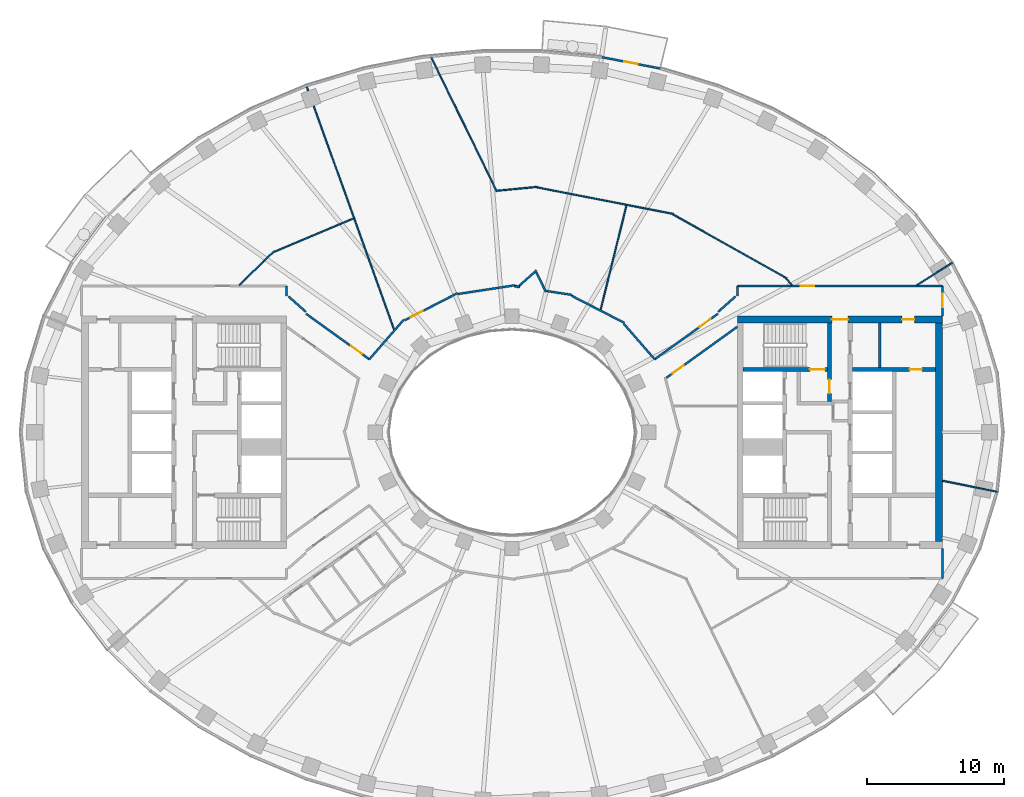
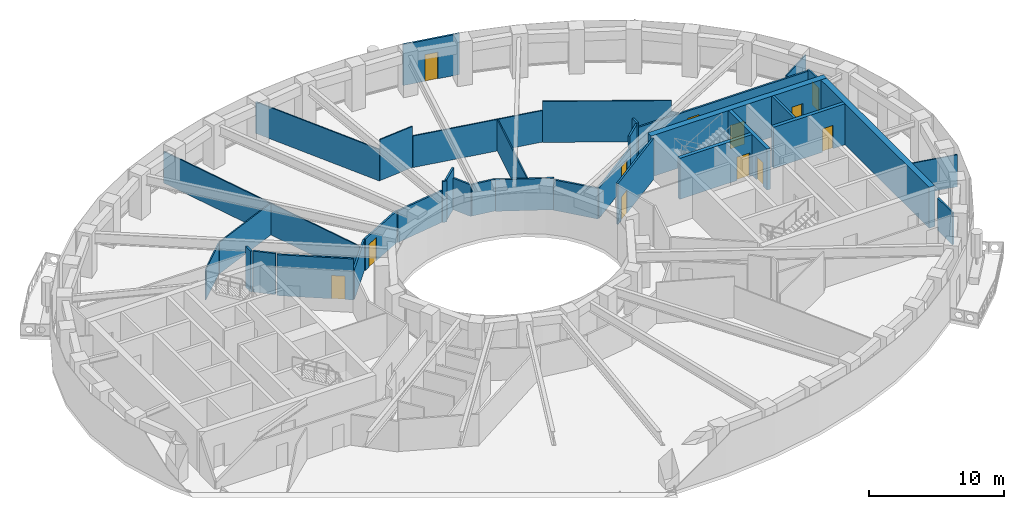
# One storey, part 6 of 16: 37 walls, 12 doors, 12 openings.
"""IFC4 building model written with IfcOpenShell, lengths in metres."""

from ifc_helpers import new_model, si_unit, direction, frame, frame_2d, origin, place, context, subcontext, project, spatial, rectangle, extrude, material, layer, layer_set, type_object, element, fill, save


model = new_model("IFC4")

# Units and contexts
model_context = context("Model", 3, precision=1e-05, world=origin(), true_north=direction((0.0, 1.0)))
body_context = subcontext(model_context, "Body", "Model", "MODEL_VIEW")
ifc_project = project(units=[si_unit("LENGTHUNIT", "METRE"), si_unit("AREAUNIT", "SQUARE_METRE"), si_unit("VOLUMEUNIT", "CUBIC_METRE"), si_unit("PLANEANGLEUNIT", "RADIAN"), si_unit("MASSUNIT", "GRAM", prefix="KILO")], contexts=[model_context])

# Site, building, storey
site_placement = place(None, origin())
site = spatial("IfcSite", under=ifc_project, at=site_placement, CompositionType="ELEMENT")
building_placement = place(site_placement, origin())
building = spatial("IfcBuilding", under=site, at=building_placement, Name="Noorbagh Ring Tower", CompositionType="ELEMENT")
storey_placement = place(building_placement, frame((0.0, 0.0, 178.0)))
storey = spatial("IfcBuildingStorey", under=building, at=storey_placement, Name="L41", CompositionType="ELEMENT", Elevation=178.0)

# Wall
ifc_material_1 = material(Name="Gypsum board on steel studs", Category="steel")
ifc_layer_1 = layer(ifc_material_1, 0.199951171875)
ifc_layer_set_1 = layer_set([ifc_layer_1], Name="Gypsum board on steel studs")
wall_type_1 = type_object("IfcWallType", Name="CORE-PARTITION-200", PredefinedType="PARTITIONING", material=ifc_layer_set_1)
wall_1_placement = place(storey_placement, frame((26.89990234375, 4.75, 0.0), z_axis=(0.0, 0.0, 1.0), x_axis=(0.0, 1.0, 0.0)))
element("IfcWall", 1, at=wall_1_placement, inside=storey, type_object=wall_type_1, Name="Core partition E", PredefinedType="PARTITIONING", context=body_context, shape_type="SweptSolid", body=[
    extrude(rectangle(XDim=3.25, YDim=0.199951171875, at=frame_2d((1.625, 0.0))), origin(), (0.0, 0.0, 1.0), 3.699951171875),
])

# Wall, opening, door
ifc_material_2 = material(Name="Concrete C60/75", Category="concrete")
ifc_layer_2 = layer(ifc_material_2, 0.300048828125)
ifc_layer_set_2 = layer_set([ifc_layer_2], Name="Concrete C60/75")
wall_type_2 = type_object("IfcWallType", Name="CORE-WALL-300-C60-75-EI240", PredefinedType="SHEAR", material=ifc_layer_set_2)
wall_2_placement = place(storey_placement, frame((24.89990234375, 4.60009765625, 0.0), z_axis=(0.0, 0.0, 1.0), x_axis=(1.0, 0.0, 0.0)))
wall_2 = element("IfcWall", 2, at=wall_2_placement, inside=storey, type_object=wall_type_2, Name="Core wall E", PredefinedType="SHEAR", context=body_context, shape_type="SweptSolid", body=[
    extrude(rectangle(XDim=6.10009765625, YDim=0.300048828125, at=frame_2d((3.050048828125, 0.0))), origin(), (0.0, 0.0, 1.0), 3.699951171875),
])
opening_1_placement = place(wall_2_placement, frame((4.199951171875, 0.0, 0.0)))
opening_1 = element("IfcOpeningElement", 3, at=opening_1_placement, cuts=wall_2, Name="Opening L41-CE18", PredefinedType="OPENING", context=body_context, shape_type="SweptSolid", body=[
    extrude(rectangle(XDim=0.89990234375, YDim=2.10009765625, at=frame_2d((0.449951171875, 1.050048828125))), frame((0.0, 0.16015625, 0.0), z_axis=(0.0, -1.0, 0.0), x_axis=(1.0, 0.0, 0.0)), (0.0, 0.0, 1.0), 0.320068359375),
])
ifc_material_3 = material(Name="Steel door leaf", Category="steel")
door_type_1 = type_object("IfcDoorType", Name="CORE-DOOR-DROOM", OperationType="SINGLE_SWING_LEFT", PredefinedType="DOOR", material=ifc_material_3)
door_1_placement = place(opening_1_placement, origin())
door_1 = element("IfcDoor", 4, at=door_1_placement, inside=storey, type_object=door_type_1, Name="Core room door L41-CE18", OperationType="SINGLE_SWING_RIGHT", OverallHeight=2.10009765625, OverallWidth=0.89990234375, PredefinedType="DOOR", context=body_context, shape_type="SweptSolid", body=[
    extrude(rectangle(XDim=0.89990234375, YDim=2.10009765625, at=frame_2d((0.449951171875, 1.050048828125))), frame((0.0, 0.02490234375, 0.0), z_axis=(0.0, -1.0, 0.0), x_axis=(1.0, 0.0, 0.0)), (0.0, 0.0, 1.0), 0.050048828125),
])
fill(opening_1, door_1)

wall_3_placement = place(storey_placement, frame((23.22998046875, 2.25, 0.0), z_axis=(0.0, 0.0, 1.0), x_axis=(0.0, 1.0, 0.0)))
wall_3 = element("IfcWall", 5, at=wall_3_placement, inside=storey, type_object=wall_type_2, Name="Core wall E", PredefinedType="SHEAR", context=body_context, shape_type="SweptSolid", body=[
    extrude(rectangle(XDim=5.75, YDim=0.300048828125, at=frame_2d((2.875, 0.0))), origin(), (0.0, 0.0, 1.0), 3.699951171875),
])
opening_2_placement = place(wall_3_placement, frame((0.60009765625, 0.0, 0.0)))
opening_2 = element("IfcOpeningElement", 6, at=opening_2_placement, cuts=wall_3, Name="Opening L41-CE10", PredefinedType="OPENING", context=body_context, shape_type="SweptSolid", body=[
    extrude(rectangle(XDim=1.0, YDim=2.10009765625, at=frame_2d((0.5, 1.050048828125))), frame((0.0, 0.16015625, 0.0), z_axis=(0.0, -1.0, 0.0), x_axis=(1.0, 0.0, 0.0)), (0.0, 0.0, 1.0), 0.320068359375),
])
ifc_material_4 = material(Name="Steel door leaf", Category="steel")
door_type_2 = type_object("IfcDoorType", Name="CORE-DOOR-DVEST", OperationType="SINGLE_SWING_LEFT", PredefinedType="DOOR", material=ifc_material_4)
door_2_placement = place(opening_2_placement, origin())
door_2 = element("IfcDoor", 7, at=door_2_placement, inside=storey, type_object=door_type_2, Name="Stair vestibule door L41-CE10", OperationType="SINGLE_SWING_RIGHT", OverallHeight=2.10009765625, OverallWidth=1.0, PredefinedType="DOOR", context=body_context, shape_type="SweptSolid", body=[
    extrude(rectangle(XDim=1.0, YDim=2.10009765625, at=frame_2d((0.5, 1.050048828125))), frame((0.0, 0.02490234375, 0.0), z_axis=(0.0, -1.0, 0.0), x_axis=(1.0, 0.0, 0.0)), (0.0, 0.0, 1.0), 0.050048828125),
])
fill(opening_2, door_2)

wall_4_placement = place(storey_placement, frame((16.89990234375, 4.60009765625, 0.0), z_axis=(0.0, 0.0, 1.0), x_axis=(1.0, 0.0, 0.0)))
wall_4 = element("IfcWall", 8, at=wall_4_placement, inside=storey, type_object=wall_type_2, Name="Core wall E", PredefinedType="SHEAR", context=body_context, shape_type="SweptSolid", body=[
    extrude(rectangle(XDim=6.18017578125, YDim=0.300048828125, at=frame_2d((3.090087890625, 0.0))), origin(), (0.0, 0.0, 1.0), 3.699951171875),
])
opening_3_placement = place(wall_4_placement, frame((4.89990234375, 0.0, 0.0)))
opening_3 = element("IfcOpeningElement", 9, at=opening_3_placement, cuts=wall_4, Name="Opening L41-CE07", PredefinedType="OPENING", context=body_context, shape_type="SweptSolid", body=[
    extrude(rectangle(XDim=1.10009765625, YDim=2.10009765625, at=frame_2d((0.550048828125, 1.050048828125))), frame((0.0, 0.16015625, 0.0), z_axis=(0.0, -1.0, 0.0), x_axis=(1.0, 0.0, 0.0)), (0.0, 0.0, 1.0), 0.320068359375),
])
ifc_material_5 = material(Name="Steel door leaf", Category="steel")
door_type_3 = type_object("IfcDoorType", Name="CORE-DOOR-DSTAIR", OperationType="SINGLE_SWING_LEFT", PredefinedType="DOOR", material=ifc_material_5)
door_3_placement = place(opening_3_placement, origin())
door_3 = element("IfcDoor", 10, at=door_3_placement, inside=storey, type_object=door_type_3, Name="Stair door ST3 L41-CE07", OperationType="SINGLE_SWING_LEFT", OverallHeight=2.10009765625, OverallWidth=1.10009765625, PredefinedType="DOOR", context=body_context, shape_type="SweptSolid", body=[
    extrude(rectangle(XDim=1.10009765625, YDim=2.10009765625, at=frame_2d((0.550048828125, 1.050048828125))), frame((0.0, 0.02490234375, 0.0), z_axis=(0.0, -1.0, 0.0), x_axis=(1.0, 0.0, 0.0)), (0.0, 0.0, 1.0), 0.050048828125),
])
fill(opening_3, door_3)

# Wall, openings, doors
ifc_material_6 = material(Name="Concrete C60/75", Category="concrete")
ifc_layer_3 = layer(ifc_material_6, 0.5)
ifc_layer_set_3 = layer_set([ifc_layer_3], Name="Concrete C60/75")
wall_type_3 = type_object("IfcWallType", Name="CORE-WALL-500-C60-75-EI240", PredefinedType="SHEAR", material=ifc_layer_set_3)
wall_5_placement = place(storey_placement, frame((16.5, 8.25, 0.0), z_axis=(0.0, 0.0, 1.0), x_axis=(1.0, 0.0, 0.0)))
wall_5 = element("IfcWall", 11, at=wall_5_placement, inside=storey, type_object=wall_type_3, Name="Core wall E", PredefinedType="SHEAR", context=body_context, shape_type="SweptSolid", body=[
    extrude(rectangle(XDim=15.0, YDim=0.5, at=frame_2d((7.5, 0.0))), origin(), (0.0, 0.0, 1.0), 3.699951171875),
])
opening_4_placement = place(wall_5_placement, frame((6.89990234375, 0.0, 0.0)))
opening_4 = element("IfcOpeningElement", 12, at=opening_4_placement, cuts=wall_5, Name="Opening L41-CE11", PredefinedType="OPENING", context=body_context, shape_type="SweptSolid", body=[
    extrude(rectangle(XDim=1.199951171875, YDim=2.10009765625, at=frame_2d((0.60009765625, 1.050048828125))), frame((0.0, 0.260009765625, 0.0), z_axis=(0.0, -1.0, 0.0), x_axis=(1.0, 0.0, 0.0)), (0.0, 0.0, 1.0), 0.52001953125),
])
opening_5_placement = place(wall_5_placement, frame((12.050048828125, 0.0, 0.0)))
opening_5 = element("IfcOpeningElement", 13, at=opening_5_placement, cuts=wall_5, Name="Opening L41-CE14", PredefinedType="OPENING", context=body_context, shape_type="SweptSolid", body=[
    extrude(rectangle(XDim=0.89990234375, YDim=2.10009765625, at=frame_2d((0.449951171875, 1.050048828125))), frame((0.0, 0.260009765625, 0.0), z_axis=(0.0, -1.0, 0.0), x_axis=(1.0, 0.0, 0.0)), (0.0, 0.0, 1.0), 0.52001953125),
])
door_4_placement = place(opening_5_placement, origin())
door_4 = element("IfcDoor", 14, at=door_4_placement, inside=storey, type_object=door_type_1, Name="Core room door L41-CE14", OperationType="SINGLE_SWING_LEFT", OverallHeight=2.10009765625, OverallWidth=0.89990234375, PredefinedType="DOOR", context=body_context, shape_type="SweptSolid", body=[
    extrude(rectangle(XDim=0.89990234375, YDim=2.10009765625, at=frame_2d((0.449951171875, 1.050048828125))), frame((0.0, 0.02490234375, 0.0), z_axis=(0.0, -1.0, 0.0), x_axis=(1.0, 0.0, 0.0)), (0.0, 0.0, 1.0), 0.050048828125),
])
fill(opening_5, door_4)
ifc_material_7 = material(Name="Steel door leaf", Category="steel")
door_type_4 = type_object("IfcDoorType", Name="CORE-DOOR-PORT", OperationType="DOUBLE_DOOR_DOUBLE_SWING", PredefinedType="DOOR", material=ifc_material_7)
door_5_placement = place(opening_4_placement, origin())
door_5 = element("IfcDoor", 15, at=door_5_placement, inside=storey, type_object=door_type_4, Name="Core entrance door L41-CE11", OperationType="DOUBLE_DOOR_DOUBLE_SWING", OverallHeight=2.10009765625, OverallWidth=1.199951171875, PredefinedType="DOOR", context=body_context, shape_type="SweptSolid", body=[
    extrude(rectangle(XDim=1.199951171875, YDim=2.10009765625, at=frame_2d((0.60009765625, 1.050048828125))), frame((0.0, 0.02490234375, 0.0), z_axis=(0.0, -1.0, 0.0), x_axis=(1.0, 0.0, 0.0)), (0.0, 0.0, 1.0), 0.050048828125),
])
fill(opening_4, door_5)

# Walls
wall_6_placement = place(storey_placement, frame((31.25, -8.0, 0.0), z_axis=(0.0, 0.0, 1.0), x_axis=(0.0, 1.0, 0.0)))
element("IfcWall", 16, at=wall_6_placement, inside=storey, type_object=wall_type_3, Name="Core wall E", PredefinedType="SHEAR", context=body_context, shape_type="SweptSolid", body=[
    extrude(rectangle(XDim=16.0, YDim=0.5, at=frame_2d((8.0, 0.0))), origin(), (0.0, 0.0, 1.0), 3.699951171875),
])
ifc_material_8 = material(Name="Gypsum board on steel studs", Category="steel")
ifc_layer_4 = layer(ifc_material_8, 0.14990234375)
ifc_layer_set_4 = layer_set([ifc_layer_4], Name="Gypsum board on steel studs")
wall_type_4 = type_object("IfcWallType", Name="CORRIDOR PARTITION 150 EI 30", PredefinedType="PARTITIONING", material=ifc_layer_set_4)
wall_7_placement = place(storey_placement, frame((-16.5, 9.964111328125, 0.0), z_axis=(0.0, 0.0, 1.0), x_axis=(0.0, 1.0, 0.0)))
element("IfcWall", 17, at=wall_7_placement, inside=storey, type_object=wall_type_4, Name="L41/wall/P15", PredefinedType="PARTITIONING", context=body_context, shape_type="SweptSolid", body=[
    extrude(rectangle(XDim=0.73583984375, YDim=0.14990234375, at=frame_2d((0.367919921875, 0.0))), origin(), (0.0, 0.0, 1.0), 3.699951171875),
])

# Wall, opening, door
wall_8_placement = place(storey_placement, frame((-15.06103515625, 8.6708984375, 0.0), z_axis=(0.0, 0.0, 1.0), x_axis=(0.811697765448, -0.584077681106, 0.0)))
wall_8 = element("IfcWall", 18, at=wall_8_placement, inside=storey, type_object=wall_type_4, Name="L41/wall/P19", PredefinedType="PARTITIONING", context=body_context, shape_type="SweptSolid", body=[
    extrude(rectangle(XDim=5.6943359375, YDim=0.14990234375, at=frame_2d((2.84716796875, 0.0))), origin(), (0.0, 0.0, 1.0), 3.699951171875),
])
opening_6_placement = place(wall_8_placement, frame((4.044189453125, 0.0, 0.0)))
opening_6 = element("IfcOpeningElement", 19, at=opening_6_placement, cuts=wall_8, Name="Opening D1", PredefinedType="OPENING", context=body_context, shape_type="SweptSolid", body=[
    extrude(rectangle(XDim=1.0, YDim=2.10009765625, at=frame_2d((0.5, 1.050048828125))), frame((0.0, 0.0849609375, 0.0), z_axis=(0.0, -1.0, 0.0), x_axis=(1.0, 0.0, 0.0)), (0.0, 0.0, 1.0), 0.169921875),
])
ifc_material_9 = material(Name="Timber, painted", Category="wood")
door_type_5 = type_object("IfcDoorType", Name="DOOR 1000 X 2100 FD30", OperationType="SINGLE_SWING_LEFT", PredefinedType="DOOR", material=ifc_material_9)
door_6_placement = place(opening_6_placement, origin())
door_6 = element("IfcDoor", 20, at=door_6_placement, inside=storey, type_object=door_type_5, Name="L41-D09", OperationType="SINGLE_SWING_LEFT", OverallHeight=2.10009765625, OverallWidth=1.0, PredefinedType="DOOR", context=body_context, shape_type="SweptSolid", body=[
    extrude(rectangle(XDim=1.0, YDim=2.10009765625, at=frame_2d((0.5, 1.050048828125))), frame((0.0, 0.02490234375, 0.0), z_axis=(0.0, -1.0, 0.0), x_axis=(1.0, 0.0, 0.0)), (0.0, 0.0, 1.0), 0.050048828125),
])
fill(opening_6, door_6)

# Wall
wall_9_placement = place(storey_placement, frame((-10.43896484375, 5.344970703125, 0.0), z_axis=(0.0, 0.0, 1.0), x_axis=(0.656405809938, 0.754407988213, 0.0)))
element("IfcWall", 21, at=wall_9_placement, inside=storey, type_object=wall_type_4, Name="L41/wall/P30", PredefinedType="PARTITIONING", context=body_context, shape_type="SweptSolid", body=[
    extrude(rectangle(XDim=3.85888671875, YDim=0.14990234375, at=frame_2d((1.929443359375, 0.0))), origin(), (0.0, 0.0, 1.0), 2.75),
])

# Wall, opening, door
wall_10_placement = place(storey_placement, frame((-7.85888671875, 8.196044921875, 0.0), z_axis=(0.0, 0.0, 1.0), x_axis=(0.889405670308, 0.457118752213, 0.0)))
wall_10 = element("IfcWall", 22, at=wall_10_placement, inside=storey, type_object=wall_type_4, Name="L41/wall/P34", PredefinedType="PARTITIONING", context=body_context, shape_type="SweptSolid", body=[
    extrude(rectangle(XDim=4.35546875, YDim=0.14990234375, at=frame_2d((2.177734375, 0.0))), origin(), (0.0, 0.0, 1.0), 2.85009765625),
])
opening_7_placement = place(wall_10_placement, frame((0.490966796875, 0.0, 0.0)))
opening_7 = element("IfcOpeningElement", 23, at=opening_7_placement, cuts=wall_10, Name="Opening D1", PredefinedType="OPENING", context=body_context, shape_type="SweptSolid", body=[
    extrude(rectangle(XDim=1.0, YDim=2.10009765625, at=frame_2d((0.5, 1.050048828125))), frame((0.0, 0.0849609375, 0.0), z_axis=(0.0, -1.0, 0.0), x_axis=(1.0, 0.0, 0.0)), (0.0, 0.0, 1.0), 0.169921875),
])
door_7_placement = place(opening_7_placement, origin())
door_7 = element("IfcDoor", 24, at=door_7_placement, inside=storey, type_object=door_type_5, Name="L41-D10", OperationType="SINGLE_SWING_RIGHT", OverallHeight=2.10009765625, OverallWidth=1.0, PredefinedType="DOOR", context=body_context, shape_type="SweptSolid", body=[
    extrude(rectangle(XDim=1.0, YDim=2.10009765625, at=frame_2d((0.5, 1.050048828125))), frame((0.0, 0.02490234375, 0.0), z_axis=(0.0, -1.0, 0.0), x_axis=(1.0, 0.0, 0.0)), (0.0, 0.0, 1.0), 0.050048828125),
])
fill(opening_7, door_7)

# Walls
wall_11_placement = place(storey_placement, frame((-3.964111328125, 10.12109375, 0.0), z_axis=(0.0, 0.0, 1.0), x_axis=(0.988463044045, 0.151462241359, 0.0)))
element("IfcWall", 25, at=wall_11_placement, inside=storey, type_object=wall_type_4, Name="L41/wall/P37", PredefinedType="PARTITIONING", context=body_context, shape_type="SweptSolid", body=[
    extrude(rectangle(XDim=4.224853515625, YDim=0.14990234375, at=frame_2d((2.1123046875, 0.0))), origin(), (0.0, 0.0, 1.0), 2.85009765625),
])
wall_12_placement = place(storey_placement, frame((0.2119140625, 10.697021484375, 0.0), z_axis=(0.0, 0.0, 1.0), x_axis=(0.988347357149, -0.152215313344, 0.0)))
element("IfcWall", 26, at=wall_12_placement, inside=storey, type_object=wall_type_4, Name="L41/wall/P40", PredefinedType="PARTITIONING", context=body_context, shape_type="SweptSolid", body=[
    extrude(rectangle(XDim=0.34814453125, YDim=0.14990234375, at=frame_2d((0.174072265625, 0.0))), origin(), (0.0, 0.0, 1.0), 3.699951171875),
])
wall_13_placement = place(storey_placement, frame((0.52587890625, 10.72509765625, 0.0), z_axis=(0.0, 0.0, 1.0), x_axis=(0.748837178436, 0.662754011826, 0.0)))
element("IfcWall", 27, at=wall_13_placement, inside=storey, type_object=wall_type_4, Name="L41/wall/P41", PredefinedType="PARTITIONING", context=body_context, shape_type="SweptSolid", body=[
    extrude(rectangle(XDim=1.696044921875, YDim=0.14990234375, at=frame_2d((0.84814453125, 0.0))), origin(), (0.0, 0.0, 1.0), 3.699951171875),
])
wall_14_placement = place(storey_placement, frame((1.77197265625, 11.72705078125, 0.0), z_axis=(0.0, 0.0, 1.0), x_axis=(0.439231774218, -0.898373779959, 0.0)))
element("IfcWall", 28, at=wall_14_placement, inside=storey, type_object=wall_type_4, Name="L41/wall/P43", PredefinedType="PARTITIONING", context=body_context, shape_type="SweptSolid", body=[
    extrude(rectangle(XDim=1.61865234375, YDim=0.14990234375, at=frame_2d((0.809326171875, 0.0))), origin(), (0.0, 0.0, 1.0), 2.85009765625),
])
wall_15_placement = place(storey_placement, frame((2.52587890625, 10.342041015625, 0.0), z_axis=(0.0, 0.0, 1.0), x_axis=(0.988398649241, -0.151881895491, 0.0)))
element("IfcWall", 29, at=wall_15_placement, inside=storey, type_object=wall_type_4, Name="L41/wall/P44", PredefinedType="PARTITIONING", context=body_context, shape_type="SweptSolid", body=[
    extrude(rectangle(XDim=1.884033203125, YDim=0.14990234375, at=frame_2d((0.94189453125, 0.0))), origin(), (0.0, 0.0, 1.0), 2.85009765625),
])
wall_16_placement = place(storey_placement, frame((4.366943359375, 9.990966796875, 0.0), z_axis=(0.0, 0.0, 1.0), x_axis=(0.889480321924, -0.456973475061, 0.0)))
element("IfcWall", 30, at=wall_16_placement, inside=storey, type_object=wall_type_4, Name="L41/wall/P46", PredefinedType="PARTITIONING", context=body_context, shape_type="SweptSolid", body=[
    extrude(rectangle(XDim=4.33056640625, YDim=0.14990234375, at=frame_2d((2.165283203125, 0.0))), origin(), (0.0, 0.0, 1.0), 2.85009765625),
])
wall_17_placement = place(storey_placement, frame((8.172119140625, 7.951904296875, 0.0), z_axis=(0.0, 0.0, 1.0), x_axis=(0.656169966724, -0.754613129206, 0.0)))
element("IfcWall", 31, at=wall_17_placement, inside=storey, type_object=wall_type_4, Name="L41/wall/P50", PredefinedType="PARTITIONING", context=body_context, shape_type="SweptSolid", body=[
    extrude(rectangle(XDim=3.45458984375, YDim=0.14990234375, at=frame_2d((1.727294921875, 0.0))), origin(), (0.0, 0.0, 1.0), 2.75),
])

# Wall, opening, door
wall_18_placement = place(storey_placement, frame((10.43896484375, 5.344970703125, 0.0), z_axis=(0.0, 0.0, 1.0), x_axis=(0.811697765448, 0.584077681106, 0.0)))
wall_18 = element("IfcWall", 32, at=wall_18_placement, inside=storey, type_object=wall_type_4, Name="L41/wall/P52", PredefinedType="PARTITIONING", context=body_context, shape_type="SweptSolid", body=[
    extrude(rectangle(XDim=5.6943359375, YDim=0.14990234375, at=frame_2d((2.84716796875, 0.0))), origin(), (0.0, 0.0, 1.0), 2.75),
])
opening_8_placement = place(wall_18_placement, frame((4.044189453125, 0.0, 0.0)))
opening_8 = element("IfcOpeningElement", 33, at=opening_8_placement, cuts=wall_18, Name="Opening D1", PredefinedType="OPENING", context=body_context, shape_type="SweptSolid", body=[
    extrude(rectangle(XDim=1.0, YDim=2.10009765625, at=frame_2d((0.5, 1.050048828125))), frame((0.0, 0.0849609375, 0.0), z_axis=(0.0, -1.0, 0.0), x_axis=(1.0, 0.0, 0.0)), (0.0, 0.0, 1.0), 0.169921875),
])
door_8_placement = place(opening_8_placement, origin())
door_8 = element("IfcDoor", 34, at=door_8_placement, inside=storey, type_object=door_type_5, Name="L41-D11", OperationType="SINGLE_SWING_LEFT", OverallHeight=2.10009765625, OverallWidth=1.0, PredefinedType="DOOR", context=body_context, shape_type="SweptSolid", body=[
    extrude(rectangle(XDim=1.0, YDim=2.10009765625, at=frame_2d((0.5, 1.050048828125))), frame((0.0, 0.02490234375, 0.0), z_axis=(0.0, -1.0, 0.0), x_axis=(1.0, 0.0, 0.0)), (0.0, 0.0, 1.0), 0.050048828125),
])
fill(opening_8, door_8)

wall_19_placement = place(storey_placement, frame((11.291015625, 3.986083984375, 0.0), z_axis=(0.0, 0.0, 1.0), x_axis=(0.81164111506, 0.584156400584, 0.0)))
wall_19 = element("IfcWall", 35, at=wall_19_placement, inside=storey, type_object=wall_type_4, Name="L41/wall/P56", PredefinedType="PARTITIONING", context=body_context, shape_type="SweptSolid", body=[
    extrude(rectangle(XDim=6.417724609375, YDim=0.14990234375, at=frame_2d((3.208984375, 0.0))), origin(), (0.0, 0.0, 1.0), 3.699951171875),
])
opening_9_placement = place(wall_19_placement, frame((0.56982421875, 0.0, 0.0)))
opening_9 = element("IfcOpeningElement", 36, at=opening_9_placement, cuts=wall_19, Name="Opening D1", PredefinedType="OPENING", context=body_context, shape_type="SweptSolid", body=[
    extrude(rectangle(XDim=1.0, YDim=2.10009765625, at=frame_2d((0.5, 1.050048828125))), frame((0.0, 0.0849609375, 0.0), z_axis=(0.0, -1.0, 0.0), x_axis=(1.0, 0.0, 0.0)), (0.0, 0.0, 1.0), 0.169921875),
])
door_9_placement = place(opening_9_placement, origin())
door_9 = element("IfcDoor", 37, at=door_9_placement, inside=storey, type_object=door_type_5, Name="L41-D19", OperationType="SINGLE_SWING_LEFT", OverallHeight=2.10009765625, OverallWidth=1.0, PredefinedType="DOOR", context=body_context, shape_type="SweptSolid", body=[
    extrude(rectangle(XDim=1.0, YDim=2.10009765625, at=frame_2d((0.5, 1.050048828125))), frame((0.0, 0.02490234375, 0.0), z_axis=(0.0, -1.0, 0.0), x_axis=(1.0, 0.0, 0.0)), (0.0, 0.0, 1.0), 0.050048828125),
])
fill(opening_9, door_9)

# Wall
wall_20_placement = place(storey_placement, frame((16.5, 9.964111328125, 0.0), z_axis=(0.0, 0.0, 1.0), x_axis=(0.0, 1.0, 0.0)))
element("IfcWall", 38, at=wall_20_placement, inside=storey, type_object=wall_type_4, Name="L41/wall/P63", PredefinedType="PARTITIONING", context=body_context, shape_type="SweptSolid", body=[
    extrude(rectangle(XDim=0.73583984375, YDim=0.14990234375, at=frame_2d((0.367919921875, 0.0))), origin(), (0.0, 0.0, 1.0), 3.699951171875),
])

# Wall, opening, door
wall_21_placement = place(storey_placement, frame((16.5, 10.699951171875, 0.0), z_axis=(0.0, 0.0, 1.0), x_axis=(1.0, 0.0, 0.0)))
wall_21 = element("IfcWall", 39, at=wall_21_placement, inside=storey, type_object=wall_type_4, Name="L41/wall/P64", PredefinedType="PARTITIONING", context=body_context, shape_type="SweptSolid", body=[
    extrude(rectangle(XDim=15.0, YDim=0.14990234375, at=frame_2d((7.5, 0.0))), origin(), (0.0, 0.0, 1.0), 2.75),
])
opening_10_placement = place(wall_21_placement, frame((4.62109375, 0.0, 0.0)))
opening_10 = element("IfcOpeningElement", 40, at=opening_10_placement, cuts=wall_21, Name="Opening D1", PredefinedType="OPENING", context=body_context, shape_type="SweptSolid", body=[
    extrude(rectangle(XDim=1.0, YDim=2.10009765625, at=frame_2d((0.5, 1.050048828125))), frame((0.0, 0.0849609375, 0.0), z_axis=(0.0, -1.0, 0.0), x_axis=(1.0, 0.0, 0.0)), (0.0, 0.0, 1.0), 0.169921875),
])
door_10_placement = place(opening_10_placement, origin())
door_10 = element("IfcDoor", 41, at=door_10_placement, inside=storey, type_object=door_type_5, Name="L41-D12", OperationType="SINGLE_SWING_RIGHT", OverallHeight=2.10009765625, OverallWidth=1.0, PredefinedType="DOOR", context=body_context, shape_type="SweptSolid", body=[
    extrude(rectangle(XDim=1.0, YDim=2.10009765625, at=frame_2d((0.5, 1.050048828125))), frame((0.0, 0.02490234375, 0.0), z_axis=(0.0, -1.0, 0.0), x_axis=(1.0, 0.0, 0.0)), (0.0, 0.0, 1.0), 0.050048828125),
])
fill(opening_10, door_10)

# Wall
wall_22_placement = place(storey_placement, frame((31.5, -10.699951171875, 0.0), z_axis=(0.0, 0.0, 1.0), x_axis=(0.0, 1.0, 0.0)))
element("IfcWall", 42, at=wall_22_placement, inside=storey, type_object=wall_type_4, Name="L41/wall/P68", PredefinedType="PARTITIONING", context=body_context, shape_type="SweptSolid", body=[
    extrude(rectangle(XDim=2.199951171875, YDim=0.14990234375, at=frame_2d((1.10009765625, 0.0))), origin(), (0.0, 0.0, 1.0), 2.89990234375),
])

# Wall, opening, door
wall_23_placement = place(storey_placement, frame((31.5, 8.5, 0.0), z_axis=(0.0, 0.0, 1.0), x_axis=(0.0, 1.0, 0.0)))
wall_23 = element("IfcWall", 43, at=wall_23_placement, inside=storey, type_object=wall_type_4, Name="L41/wall/P70", PredefinedType="PARTITIONING", context=body_context, shape_type="SweptSolid", body=[
    extrude(rectangle(XDim=2.199951171875, YDim=0.14990234375, at=frame_2d((1.10009765625, 0.0))), origin(), (0.0, 0.0, 1.0), 2.89990234375),
])
opening_11_placement = place(wall_23_placement, frame((0.64990234375, 0.0, 0.0)))
opening_11 = element("IfcOpeningElement", 44, at=opening_11_placement, cuts=wall_23, Name="Opening D1", PredefinedType="OPENING", context=body_context, shape_type="SweptSolid", body=[
    extrude(rectangle(XDim=1.0, YDim=2.10009765625, at=frame_2d((0.5, 1.050048828125))), frame((0.0, 0.0849609375, 0.0), z_axis=(0.0, -1.0, 0.0), x_axis=(1.0, 0.0, 0.0)), (0.0, 0.0, 1.0), 0.169921875),
])
door_11_placement = place(opening_11_placement, origin())
door_11 = element("IfcDoor", 45, at=door_11_placement, inside=storey, type_object=door_type_5, Name="L41-D15", OperationType="SINGLE_SWING_LEFT", OverallHeight=2.10009765625, OverallWidth=1.0, PredefinedType="DOOR", context=body_context, shape_type="SweptSolid", body=[
    extrude(rectangle(XDim=1.0, YDim=2.10009765625, at=frame_2d((0.5, 1.050048828125))), frame((0.0, 0.02490234375, 0.0), z_axis=(0.0, -1.0, 0.0), x_axis=(1.0, 0.0, 0.0)), (0.0, 0.0, 1.0), 0.050048828125),
])
fill(opening_11, door_11)

# Walls
for number, where, z_axis, x_axis, name in (
    (46, (-16.35205078125, 9.94189453125, 0.0), (0.0, 0.0, 1.0), (0.747926695066, -0.663781333579, 0.0), "L41/wall/P72"),
    (47, (15.0869140625, 8.819091796875, 0.0), (0.0, 0.0, 1.0), (0.747926695066, 0.663781333579, 0.0), "L41/wall/P74"),
):
    element("IfcWall", number, at=place(storey_placement, frame(where, z_axis=z_axis, x_axis=x_axis)), inside=storey, type_object=wall_type_4, Name=name, PredefinedType="PARTITIONING", context=body_context, shape_type="SweptSolid", body=[
        extrude(rectangle(XDim=1.69140625, YDim=0.14990234375, at=frame_2d((0.845703125, 0.0))), origin(), (0.0, 0.0, 1.0), 3.699951171875),
    ])

# Wall, opening, door
ifc_material_10 = material(Name="Insulated aluminium clad panel", Category="aluminium")
ifc_layer_5 = layer(ifc_material_10, 0.14990234375)
ifc_layer_set_5 = layer_set([ifc_layer_5], Name="Insulated aluminium clad panel")
wall_type_5 = type_object("IfcWallType", Name="ENV-WALL-DOOR", PredefinedType="STANDARD", material=ifc_layer_set_5)
wall_24_placement = place(storey_placement, frame((10.87060546875, 26.616943359375, 0.0), z_axis=(0.0, 0.0, 1.0), x_axis=(-0.981631174778, 0.190788460615, 0.0)))
wall_24 = element("IfcWall", 48, at=wall_24_placement, inside=storey, type_object=wall_type_5, Name="Balcony door wall chord 10", PredefinedType="STANDARD", context=body_context, shape_type="SweptSolid", body=[
    extrude(rectangle(XDim=4.42626953125, YDim=0.14990234375, at=frame_2d((2.213134765625, 0.0))), origin(), (0.0, 0.0, 1.0), 3.699951171875),
])
opening_12_placement = place(wall_24_placement, frame((1.713134765625, 0.0, 0.0)))
opening_12 = element("IfcOpeningElement", 49, at=opening_12_placement, cuts=wall_24, Name="Opening D-BL", PredefinedType="OPENING", context=body_context, shape_type="SweptSolid", body=[
    extrude(rectangle(XDim=1.0, YDim=2.39990234375, at=frame_2d((0.5, 1.199951171875))), frame((0.0, 0.0849609375, 0.0), z_axis=(0.0, -1.0, 0.0), x_axis=(1.0, 0.0, 0.0)), (0.0, 0.0, 1.0), 0.169921875),
])
ifc_material_11 = material(Name="Aluminium and glass", Category="aluminium")
door_type_6 = type_object("IfcDoorType", Name="ENV-DOOR-BALCONY", OperationType="SINGLE_SWING_LEFT", PredefinedType="DOOR", material=ifc_material_11)
door_12_placement = place(opening_12_placement, origin())
door_12 = element("IfcDoor", 50, at=door_12_placement, inside=storey, type_object=door_type_6, Name="Balcony door chord 10", OperationType="SINGLE_SWING_RIGHT", OverallHeight=2.39990234375, OverallWidth=1.0, PredefinedType="DOOR", context=body_context, shape_type="SweptSolid", body=[
    extrude(rectangle(XDim=1.0, YDim=2.39990234375, at=frame_2d((0.5, 1.199951171875))), frame((0.0, 0.02490234375, 0.0), z_axis=(0.0, -1.0, 0.0), x_axis=(1.0, 0.0, 0.0)), (0.0, 0.0, 1.0), 0.050048828125),
])
fill(opening_12, door_12)

# Walls
ifc_material_12 = material(Name="Gypsum board on steel studs", Category="steel")
ifc_layer_6 = layer(ifc_material_12, 0.10009765625)
ifc_layer_set_6 = layer_set([ifc_layer_6], Name="Gypsum board on steel studs")
wall_type_6 = type_object("IfcWallType", Name="PARTITION 100 GYPSUM", PredefinedType="PARTITIONING", material=ifc_layer_set_6)
wall_25_placement = place(storey_placement, frame((-19.95703125, 10.778076171875, 0.0), z_axis=(0.0, 0.0, 1.0), x_axis=(0.717304806733, 0.696759509614, 0.0)))
element("IfcWall", 51, at=wall_25_placement, inside=storey, type_object=wall_type_6, Name="L41/wall/P08", PredefinedType="PARTITIONING", context=body_context, shape_type="SweptSolid", body=[
    extrude(rectangle(XDim=3.56494140625, YDim=0.10009765625, at=frame_2d((1.782470703125, 0.0))), origin(), (0.0, 0.0, 1.0), 2.75),
])
wall_26_placement = place(storey_placement, frame((-17.3720703125, 13.218994140625, 0.0), z_axis=(0.0, 0.0, 1.0), x_axis=(0.921428289763, 0.38854846136, 0.0)))
element("IfcWall", 52, at=wall_26_placement, inside=storey, type_object=wall_type_6, Name="L41/wall/P09", PredefinedType="PARTITIONING", context=body_context, shape_type="SweptSolid", body=[
    extrude(rectangle(XDim=6.261962890625, YDim=0.10009765625, at=frame_2d((3.130859375, 0.0))), origin(), (0.0, 0.0, 1.0), 2.85009765625),
])
wall_27_placement = place(storey_placement, frame((-15.048095703125, 25.383056640625, 0.0), z_axis=(0.0, 0.0, 1.0), x_axis=(0.33832146485, -0.941030598026, 0.0)))
element("IfcWall", 53, at=wall_27_placement, inside=storey, type_object=wall_type_6, Name="L41/wall/P20", PredefinedType="PARTITIONING", context=body_context, shape_type="SweptSolid", body=[
    extrude(rectangle(XDim=18.96435546875, YDim=0.10009765625, at=frame_2d((9.482177734375, 0.0))), origin(), (0.0, 0.0, 1.0), 2.85009765625),
])
wall_28_placement = place(storey_placement, frame((-5.9580078125, 27.5380859375, 0.0), z_axis=(0.0, 0.0, 1.0), x_axis=(0.439175599961, -0.89840124243, 0.0)))
element("IfcWall", 54, at=wall_28_placement, inside=storey, type_object=wall_type_6, Name="L41/wall/P35", PredefinedType="PARTITIONING", context=body_context, shape_type="SweptSolid", body=[
    extrude(rectangle(XDim=11.031982421875, YDim=0.10009765625, at=frame_2d((5.51611328125, 0.0))), origin(), (0.0, 0.0, 1.0), 2.85009765625),
])
wall_29_placement = place(storey_placement, frame((-1.0830078125, 17.679931640625, 0.0), z_axis=(0.0, 0.0, 1.0), x_axis=(0.995437741406, 0.095413327081, 0.0)))
element("IfcWall", 55, at=wall_29_placement, inside=storey, type_object=wall_type_6, Name="L41/wall/P38", PredefinedType="PARTITIONING", context=body_context, shape_type="SweptSolid", body=[
    extrude(rectangle(XDim=2.955322265625, YDim=0.10009765625, at=frame_2d((1.4775390625, 0.0))), origin(), (0.0, 0.0, 1.0), 3.699951171875),
])
wall_30_placement = place(storey_placement, frame((1.85693359375, 17.9208984375, 0.0), z_axis=(0.0, 0.0, 1.0), x_axis=(0.98153666983, -0.191274059348, 0.0)))
element("IfcWall", 56, at=wall_30_placement, inside=storey, type_object=wall_type_6, Name="L41/wall/P42", PredefinedType="PARTITIONING", context=body_context, shape_type="SweptSolid", body=[
    extrude(rectangle(XDim=10.147216796875, YDim=0.10009765625, at=frame_2d((5.07373046875, 0.0))), origin(), (0.0, 0.0, 1.0), 2.85009765625),
])
wall_31_placement = place(storey_placement, frame((6.490966796875, 8.988037109375, 0.0), z_axis=(0.0, 0.0, 1.0), x_axis=(0.239904638237, 0.970796458869, 0.0)))
element("IfcWall", 57, at=wall_31_placement, inside=storey, type_object=wall_type_6, Name="L41/wall/P47", PredefinedType="PARTITIONING", context=body_context, shape_type="SweptSolid", body=[
    extrude(rectangle(XDim=7.841064453125, YDim=0.10009765625, at=frame_2d((3.92041015625, 0.0))), origin(), (0.0, 0.0, 1.0), 2.85009765625),
])
wall_32_placement = place(storey_placement, frame((11.802001953125, 15.93701171875, 0.0), z_axis=(0.0, 0.0, 1.0), x_axis=(0.871652836429, -0.490123793286, 0.0)))
element("IfcWall", 58, at=wall_32_placement, inside=storey, type_object=wall_type_6, Name="L41/wall/P57", PredefinedType="PARTITIONING", context=body_context, shape_type="SweptSolid", body=[
    extrude(rectangle(XDim=9.530029296875, YDim=0.10009765625, at=frame_2d((4.76513671875, 0.0))), origin(), (0.0, 0.0, 1.0), 3.699951171875),
])
wall_33_placement = place(storey_placement, frame((20.0791015625, 11.22900390625, 0.0), z_axis=(0.0, 0.0, 1.0), x_axis=(0.663614598559, -0.748074638375, 0.0)))
element("IfcWall", 59, at=wall_33_placement, inside=storey, type_object=wall_type_6, Name="L41/wall/P66", PredefinedType="PARTITIONING", context=body_context, shape_type="SweptSolid", body=[
    extrude(rectangle(XDim=0.60693359375, YDim=0.10009765625, at=frame_2d((0.303466796875, 0.0))), origin(), (0.0, 0.0, 1.0), 2.75),
])
wall_34_placement = place(storey_placement, frame((29.636962890625, 10.777099609375, 0.0), z_axis=(0.0, 0.0, 1.0), x_axis=(0.844810627195, 0.535065420467, 0.0)))
element("IfcWall", 60, at=wall_34_placement, inside=storey, type_object=wall_type_6, Name="L41/wall/P67", PredefinedType="PARTITIONING", context=body_context, shape_type="SweptSolid", body=[
    extrude(rectangle(XDim=3.0478515625, YDim=0.10009765625, at=frame_2d((1.52392578125, 0.0))), origin(), (0.0, 0.0, 1.0), 2.89990234375),
])
wall_35_placement = place(storey_placement, frame((31.5, -3.5419921875, 0.0), z_axis=(0.0, 0.0, 1.0), x_axis=(0.980357474535, -0.197228857227, 0.0)))
element("IfcWall", 61, at=wall_35_placement, inside=storey, type_object=wall_type_6, Name="L41/wall/P69", PredefinedType="PARTITIONING", context=body_context, shape_type="SweptSolid", body=[
    extrude(rectangle(XDim=4.09228515625, YDim=0.10009765625, at=frame_2d((2.046142578125, 0.0))), origin(), (0.0, 0.0, 1.0), 2.89990234375),
])

save(model, "model.ifc")
